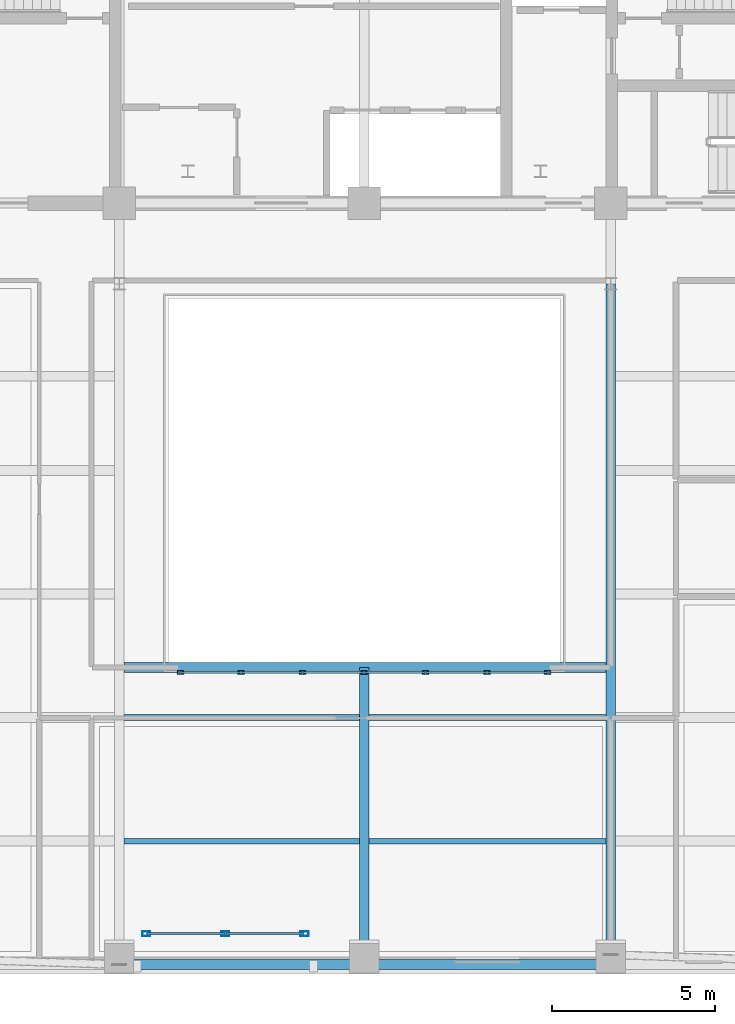
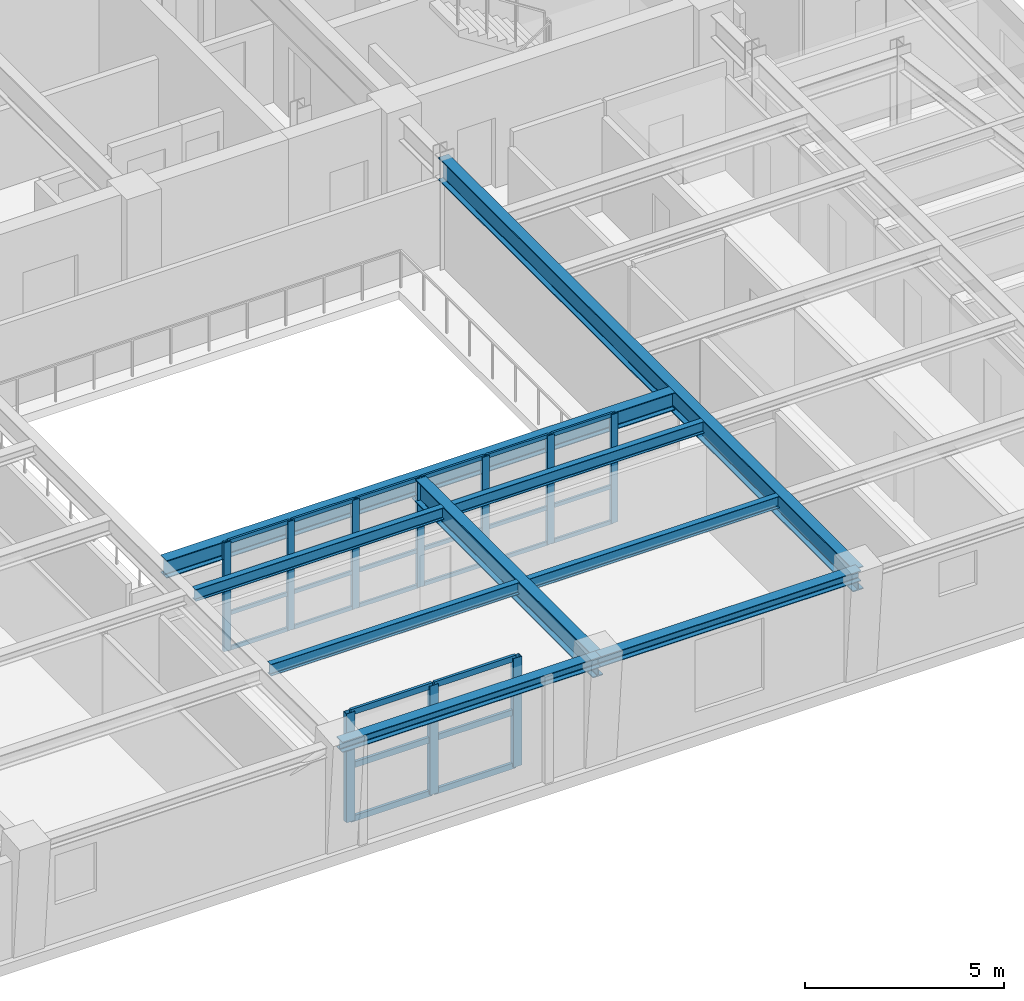
# One storey, part 2 of 13: 40 members, 9 beams, 2 elements without a shape of their own.
"""IFC4 building model written with IfcOpenShell, lengths in metres."""

from ifc_helpers import new_model, si_unit, direction, frame, origin, origin_2d, place, context, subcontext, project, spatial, hollow_rectangle, i_section, extrude, material, layer, layer_set, material_profile, profile_set, type_object, element, aggregate, save


model = new_model("IFC4")

# Units and contexts
model_context = context("Model", 3, precision=1e-05, world=origin(), true_north=direction((0.0, 1.0)))
body_context = subcontext(model_context, "Body", "Model", "MODEL_VIEW")
ifc_project = project(units=[si_unit("LENGTHUNIT", "METRE"), si_unit("AREAUNIT", "SQUARE_METRE"), si_unit("VOLUMEUNIT", "CUBIC_METRE"), si_unit("PLANEANGLEUNIT", "RADIAN"), si_unit("MASSUNIT", "GRAM", prefix="KILO")], contexts=[model_context])

# Site, building, storey
site_placement = place(None, origin())
site = spatial("IfcSite", under=ifc_project, at=site_placement, CompositionType="ELEMENT")
building_placement = place(site_placement, origin())
building = spatial("IfcBuilding", under=site, at=building_placement, Name="Zarnavel Station Tower", CompositionType="ELEMENT")
storey_placement = place(building_placement, frame((0.0, 0.0, 236.39990234375)))
storey = spatial("IfcBuildingStorey", under=building, at=storey_placement, Name="L64", CompositionType="ELEMENT", Elevation=236.39990234375)

# Curtain wall, members
ifc_material_1 = material(Name="Aluminium Dark Anodised and Solar-Control Glass", Category="aluminium")
ifc_layer_1 = layer(ifc_material_1, 0.179931640625)
ifc_layer_set_1 = layer_set([ifc_layer_1], Name="CWS5")
curtain_wall_type_1 = type_object("IfcCurtainWallType", Name="CWS5", PredefinedType="NOTDEFINED", material=ifc_layer_set_1)
curtain_wall_1_placement = place(storey_placement, origin())
curtain_wall_1 = element("IfcCurtainWall", 1, at=curtain_wall_1_placement, inside=storey, type_object=curtain_wall_type_1, Name="L64 Curtain Wall CWS5-L64-AS", PredefinedType="NOTDEFINED")
ifc_material_2 = material(Name="Steel S355J2 (Black Fluoropolymer Coated)", Category="steel")
ifc_material_profile_1 = material_profile(ifc_material_2, hollow_rectangle(XDim=0.10009765625, YDim=0.199951171875, WallThickness=0.008056640625, at=origin_2d()), Name="RHS200x100x8")
ifc_profile_set_1 = profile_set([ifc_material_profile_1], Name="Steel S355J2 (Black Fluoropolymer Coated)")
member_type_1 = type_object("IfcMemberType", Name="CWS5_MUL", PredefinedType="MULLION", material=ifc_profile_set_1)
member_1_placement = place(storey_placement, frame((23.179931640625, 13.449951171875, 0.0), z_axis=(0.0, 0.0, 1.0), x_axis=(0.0, 1.0, 0.0)))
member_1 = element("IfcMember", 2, at=member_1_placement, type_object=member_type_1, Name="CW5 mullion 1", PredefinedType="MULLION", context=body_context, shape_type="SweptSolid", body=[
    extrude(hollow_rectangle(XDim=0.10009765625, YDim=0.199951171875, WallThickness=0.008056640625, at=origin_2d()), origin(), (0.0, 0.0, 1.0), 3.340087890625),
])
member_2_placement = place(storey_placement, frame((25.033447265625, 13.449951171875, 0.0), z_axis=(0.0, 0.0, 1.0), x_axis=(0.0, 1.0, 0.0)))
member_2 = element("IfcMember", 3, at=member_2_placement, type_object=member_type_1, Name="CW5 mullion 2", PredefinedType="MULLION", context=body_context, shape_type="SweptSolid", body=[
    extrude(hollow_rectangle(XDim=0.10009765625, YDim=0.199951171875, WallThickness=0.008056640625, at=origin_2d()), origin(), (0.0, 0.0, 1.0), 3.340087890625),
])
member_3_placement = place(storey_placement, frame((26.916748046875, 13.449951171875, 0.0), z_axis=(0.0, 0.0, 1.0), x_axis=(0.0, 1.0, 0.0)))
member_3 = element("IfcMember", 4, at=member_3_placement, type_object=member_type_1, Name="CW5 mullion 3", PredefinedType="MULLION", context=body_context, shape_type="SweptSolid", body=[
    extrude(hollow_rectangle(XDim=0.10009765625, YDim=0.199951171875, WallThickness=0.008056640625, at=origin_2d()), origin(), (0.0, 0.0, 1.0), 3.340087890625),
])
member_4_placement = place(storey_placement, frame((28.800048828125, 13.449951171875, 0.0), z_axis=(0.0, 0.0, 1.0), x_axis=(0.0, 1.0, 0.0)))
member_4 = element("IfcMember", 5, at=member_4_placement, type_object=member_type_1, Name="CW5 mullion 4", PredefinedType="MULLION", context=body_context, shape_type="SweptSolid", body=[
    extrude(hollow_rectangle(XDim=0.10009765625, YDim=0.199951171875, WallThickness=0.008056640625, at=origin_2d()), origin(), (0.0, 0.0, 1.0), 3.340087890625),
])
member_5_placement = place(storey_placement, frame((30.683349609375, 13.449951171875, 0.0), z_axis=(0.0, 0.0, 1.0), x_axis=(0.0, 1.0, 0.0)))
member_5 = element("IfcMember", 6, at=member_5_placement, type_object=member_type_1, Name="CW5 mullion 5", PredefinedType="MULLION", context=body_context, shape_type="SweptSolid", body=[
    extrude(hollow_rectangle(XDim=0.10009765625, YDim=0.199951171875, WallThickness=0.008056640625, at=origin_2d()), origin(), (0.0, 0.0, 1.0), 3.340087890625),
])
member_6_placement = place(storey_placement, frame((32.566650390625, 13.449951171875, 0.0), z_axis=(0.0, 0.0, 1.0), x_axis=(0.0, 1.0, 0.0)))
member_6 = element("IfcMember", 7, at=member_6_placement, type_object=member_type_1, Name="CW5 mullion 6", PredefinedType="MULLION", context=body_context, shape_type="SweptSolid", body=[
    extrude(hollow_rectangle(XDim=0.10009765625, YDim=0.199951171875, WallThickness=0.008056640625, at=origin_2d()), origin(), (0.0, 0.0, 1.0), 3.340087890625),
])
member_7_placement = place(storey_placement, frame((34.419921875, 13.449951171875, 0.0), z_axis=(0.0, 0.0, 1.0), x_axis=(0.0, 1.0, 0.0)))
member_7 = element("IfcMember", 8, at=member_7_placement, type_object=member_type_1, Name="CW5 mullion 7", PredefinedType="MULLION", context=body_context, shape_type="SweptSolid", body=[
    extrude(hollow_rectangle(XDim=0.10009765625, YDim=0.199951171875, WallThickness=0.008056640625, at=origin_2d()), origin(), (0.0, 0.0, 1.0), 3.340087890625),
])
ifc_material_3 = material(Name="Steel S355J2 (Black Fluoropolymer Coated)", Category="steel")
ifc_material_profile_2 = material_profile(ifc_material_3, hollow_rectangle(XDim=0.06005859375, YDim=0.1201171875, WallThickness=0.0048828125, at=origin_2d()), Name="RHS120x60x5")
ifc_profile_set_2 = profile_set([ifc_material_profile_2], Name="Steel S355J2 (Black Fluoropolymer Coated)")
member_type_2 = type_object("IfcMemberType", Name="CWS5_TRN", PredefinedType="USERDEFINED", material=ifc_profile_set_2)
member_8_placement = place(storey_placement, frame((23.2099609375, 13.449951171875, 0.030029296875), z_axis=(1.0, 0.0, 0.0), x_axis=(0.0, 1.0, 0.0)))
member_8 = element("IfcMember", 9, at=member_8_placement, type_object=member_type_2, Name="CW5 transom 1.1", ObjectType="TRANSOM", PredefinedType="USERDEFINED", context=body_context, shape_type="SweptSolid", body=[
    extrude(hollow_rectangle(XDim=0.06005859375, YDim=0.1201171875, WallThickness=0.0048828125, at=origin_2d()), origin(), (0.0, 0.0, 1.0), 1.79345703125),
])
member_9_placement = place(storey_placement, frame((23.2099609375, 13.449951171875, 1.11328125), z_axis=(1.0, 0.0, 0.0), x_axis=(0.0, 1.0, 0.0)))
member_9 = element("IfcMember", 10, at=member_9_placement, type_object=member_type_2, Name="CW5 transom 1.2", ObjectType="TRANSOM", PredefinedType="USERDEFINED", context=body_context, shape_type="SweptSolid", body=[
    extrude(hollow_rectangle(XDim=0.06005859375, YDim=0.1201171875, WallThickness=0.0048828125, at=origin_2d()), origin(), (0.0, 0.0, 1.0), 1.79345703125),
])
member_10_placement = place(storey_placement, frame((23.2099609375, 13.449951171875, 2.226806640625), z_axis=(1.0, 0.0, 0.0), x_axis=(0.0, 1.0, 0.0)))
member_10 = element("IfcMember", 11, at=member_10_placement, type_object=member_type_2, Name="CW5 transom 1.3", ObjectType="TRANSOM", PredefinedType="USERDEFINED", context=body_context, shape_type="SweptSolid", body=[
    extrude(hollow_rectangle(XDim=0.06005859375, YDim=0.1201171875, WallThickness=0.0048828125, at=origin_2d()), origin(), (0.0, 0.0, 1.0), 1.79345703125),
])
member_11_placement = place(storey_placement, frame((23.2099609375, 13.449951171875, 3.31005859375), z_axis=(1.0, 0.0, 0.0), x_axis=(0.0, 1.0, 0.0)))
member_11 = element("IfcMember", 12, at=member_11_placement, type_object=member_type_2, Name="CW5 transom 1.4", ObjectType="TRANSOM", PredefinedType="USERDEFINED", context=body_context, shape_type="SweptSolid", body=[
    extrude(hollow_rectangle(XDim=0.06005859375, YDim=0.1201171875, WallThickness=0.0048828125, at=origin_2d()), origin(), (0.0, 0.0, 1.0), 1.79345703125),
])
member_12_placement = place(storey_placement, frame((25.063232421875, 13.449951171875, 0.030029296875), z_axis=(1.0, 0.0, 0.0), x_axis=(0.0, 1.0, 0.0)))
member_12 = element("IfcMember", 13, at=member_12_placement, type_object=member_type_2, Name="CW5 transom 2.1", ObjectType="TRANSOM", PredefinedType="USERDEFINED", context=body_context, shape_type="SweptSolid", body=[
    extrude(hollow_rectangle(XDim=0.06005859375, YDim=0.1201171875, WallThickness=0.0048828125, at=origin_2d()), origin(), (0.0, 0.0, 1.0), 1.823486328125),
])
member_13_placement = place(storey_placement, frame((25.063232421875, 13.449951171875, 1.11328125), z_axis=(1.0, 0.0, 0.0), x_axis=(0.0, 1.0, 0.0)))
member_13 = element("IfcMember", 14, at=member_13_placement, type_object=member_type_2, Name="CW5 transom 2.2", ObjectType="TRANSOM", PredefinedType="USERDEFINED", context=body_context, shape_type="SweptSolid", body=[
    extrude(hollow_rectangle(XDim=0.06005859375, YDim=0.1201171875, WallThickness=0.0048828125, at=origin_2d()), origin(), (0.0, 0.0, 1.0), 1.823486328125),
])
member_14_placement = place(storey_placement, frame((25.063232421875, 13.449951171875, 2.226806640625), z_axis=(1.0, 0.0, 0.0), x_axis=(0.0, 1.0, 0.0)))
member_14 = element("IfcMember", 15, at=member_14_placement, type_object=member_type_2, Name="CW5 transom 2.3", ObjectType="TRANSOM", PredefinedType="USERDEFINED", context=body_context, shape_type="SweptSolid", body=[
    extrude(hollow_rectangle(XDim=0.06005859375, YDim=0.1201171875, WallThickness=0.0048828125, at=origin_2d()), origin(), (0.0, 0.0, 1.0), 1.823486328125),
])
member_15_placement = place(storey_placement, frame((25.063232421875, 13.449951171875, 3.31005859375), z_axis=(1.0, 0.0, 0.0), x_axis=(0.0, 1.0, 0.0)))
member_15 = element("IfcMember", 16, at=member_15_placement, type_object=member_type_2, Name="CW5 transom 2.4", ObjectType="TRANSOM", PredefinedType="USERDEFINED", context=body_context, shape_type="SweptSolid", body=[
    extrude(hollow_rectangle(XDim=0.06005859375, YDim=0.1201171875, WallThickness=0.0048828125, at=origin_2d()), origin(), (0.0, 0.0, 1.0), 1.823486328125),
])
member_16_placement = place(storey_placement, frame((26.94677734375, 13.449951171875, 0.030029296875), z_axis=(1.0, 0.0, 0.0), x_axis=(0.0, 1.0, 0.0)))
member_16 = element("IfcMember", 17, at=member_16_placement, type_object=member_type_2, Name="CW5 transom 3.1", ObjectType="TRANSOM", PredefinedType="USERDEFINED", context=body_context, shape_type="SweptSolid", body=[
    extrude(hollow_rectangle(XDim=0.06005859375, YDim=0.1201171875, WallThickness=0.0048828125, at=origin_2d()), origin(), (0.0, 0.0, 1.0), 1.8232421875),
])
member_17_placement = place(storey_placement, frame((26.94677734375, 13.449951171875, 1.11328125), z_axis=(1.0, 0.0, 0.0), x_axis=(0.0, 1.0, 0.0)))
member_17 = element("IfcMember", 18, at=member_17_placement, type_object=member_type_2, Name="CW5 transom 3.2", ObjectType="TRANSOM", PredefinedType="USERDEFINED", context=body_context, shape_type="SweptSolid", body=[
    extrude(hollow_rectangle(XDim=0.06005859375, YDim=0.1201171875, WallThickness=0.0048828125, at=origin_2d()), origin(), (0.0, 0.0, 1.0), 1.8232421875),
])
member_18_placement = place(storey_placement, frame((26.94677734375, 13.449951171875, 2.226806640625), z_axis=(1.0, 0.0, 0.0), x_axis=(0.0, 1.0, 0.0)))
member_18 = element("IfcMember", 19, at=member_18_placement, type_object=member_type_2, Name="CW5 transom 3.3", ObjectType="TRANSOM", PredefinedType="USERDEFINED", context=body_context, shape_type="SweptSolid", body=[
    extrude(hollow_rectangle(XDim=0.06005859375, YDim=0.1201171875, WallThickness=0.0048828125, at=origin_2d()), origin(), (0.0, 0.0, 1.0), 1.8232421875),
])
member_19_placement = place(storey_placement, frame((26.94677734375, 13.449951171875, 3.31005859375), z_axis=(1.0, 0.0, 0.0), x_axis=(0.0, 1.0, 0.0)))
member_19 = element("IfcMember", 20, at=member_19_placement, type_object=member_type_2, Name="CW5 transom 3.4", ObjectType="TRANSOM", PredefinedType="USERDEFINED", context=body_context, shape_type="SweptSolid", body=[
    extrude(hollow_rectangle(XDim=0.06005859375, YDim=0.1201171875, WallThickness=0.0048828125, at=origin_2d()), origin(), (0.0, 0.0, 1.0), 1.8232421875),
])
member_20_placement = place(storey_placement, frame((28.830078125, 13.449951171875, 0.030029296875), z_axis=(1.0, 0.0, 0.0), x_axis=(0.0, 1.0, 0.0)))
member_20 = element("IfcMember", 21, at=member_20_placement, type_object=member_type_2, Name="CW5 transom 4.1", ObjectType="TRANSOM", PredefinedType="USERDEFINED", context=body_context, shape_type="SweptSolid", body=[
    extrude(hollow_rectangle(XDim=0.06005859375, YDim=0.1201171875, WallThickness=0.0048828125, at=origin_2d()), origin(), (0.0, 0.0, 1.0), 1.8232421875),
])
member_21_placement = place(storey_placement, frame((28.830078125, 13.449951171875, 1.11328125), z_axis=(1.0, 0.0, 0.0), x_axis=(0.0, 1.0, 0.0)))
member_21 = element("IfcMember", 22, at=member_21_placement, type_object=member_type_2, Name="CW5 transom 4.2", ObjectType="TRANSOM", PredefinedType="USERDEFINED", context=body_context, shape_type="SweptSolid", body=[
    extrude(hollow_rectangle(XDim=0.06005859375, YDim=0.1201171875, WallThickness=0.0048828125, at=origin_2d()), origin(), (0.0, 0.0, 1.0), 1.8232421875),
])
member_22_placement = place(storey_placement, frame((28.830078125, 13.449951171875, 2.226806640625), z_axis=(1.0, 0.0, 0.0), x_axis=(0.0, 1.0, 0.0)))
member_22 = element("IfcMember", 23, at=member_22_placement, type_object=member_type_2, Name="CW5 transom 4.3", ObjectType="TRANSOM", PredefinedType="USERDEFINED", context=body_context, shape_type="SweptSolid", body=[
    extrude(hollow_rectangle(XDim=0.06005859375, YDim=0.1201171875, WallThickness=0.0048828125, at=origin_2d()), origin(), (0.0, 0.0, 1.0), 1.8232421875),
])
member_23_placement = place(storey_placement, frame((28.830078125, 13.449951171875, 3.31005859375), z_axis=(1.0, 0.0, 0.0), x_axis=(0.0, 1.0, 0.0)))
member_23 = element("IfcMember", 24, at=member_23_placement, type_object=member_type_2, Name="CW5 transom 4.4", ObjectType="TRANSOM", PredefinedType="USERDEFINED", context=body_context, shape_type="SweptSolid", body=[
    extrude(hollow_rectangle(XDim=0.06005859375, YDim=0.1201171875, WallThickness=0.0048828125, at=origin_2d()), origin(), (0.0, 0.0, 1.0), 1.8232421875),
])
member_24_placement = place(storey_placement, frame((30.71337890625, 13.449951171875, 0.030029296875), z_axis=(1.0, 0.0, 0.0), x_axis=(0.0, 1.0, 0.0)))
member_24 = element("IfcMember", 25, at=member_24_placement, type_object=member_type_2, Name="CW5 transom 5.1", ObjectType="TRANSOM", PredefinedType="USERDEFINED", context=body_context, shape_type="SweptSolid", body=[
    extrude(hollow_rectangle(XDim=0.06005859375, YDim=0.1201171875, WallThickness=0.0048828125, at=origin_2d()), origin(), (0.0, 0.0, 1.0), 1.8232421875),
])
member_25_placement = place(storey_placement, frame((30.71337890625, 13.449951171875, 1.11328125), z_axis=(1.0, 0.0, 0.0), x_axis=(0.0, 1.0, 0.0)))
member_25 = element("IfcMember", 26, at=member_25_placement, type_object=member_type_2, Name="CW5 transom 5.2", ObjectType="TRANSOM", PredefinedType="USERDEFINED", context=body_context, shape_type="SweptSolid", body=[
    extrude(hollow_rectangle(XDim=0.06005859375, YDim=0.1201171875, WallThickness=0.0048828125, at=origin_2d()), origin(), (0.0, 0.0, 1.0), 1.8232421875),
])
member_26_placement = place(storey_placement, frame((30.71337890625, 13.449951171875, 2.226806640625), z_axis=(1.0, 0.0, 0.0), x_axis=(0.0, 1.0, 0.0)))
member_26 = element("IfcMember", 27, at=member_26_placement, type_object=member_type_2, Name="CW5 transom 5.3", ObjectType="TRANSOM", PredefinedType="USERDEFINED", context=body_context, shape_type="SweptSolid", body=[
    extrude(hollow_rectangle(XDim=0.06005859375, YDim=0.1201171875, WallThickness=0.0048828125, at=origin_2d()), origin(), (0.0, 0.0, 1.0), 1.8232421875),
])
member_27_placement = place(storey_placement, frame((30.71337890625, 13.449951171875, 3.31005859375), z_axis=(1.0, 0.0, 0.0), x_axis=(0.0, 1.0, 0.0)))
member_27 = element("IfcMember", 28, at=member_27_placement, type_object=member_type_2, Name="CW5 transom 5.4", ObjectType="TRANSOM", PredefinedType="USERDEFINED", context=body_context, shape_type="SweptSolid", body=[
    extrude(hollow_rectangle(XDim=0.06005859375, YDim=0.1201171875, WallThickness=0.0048828125, at=origin_2d()), origin(), (0.0, 0.0, 1.0), 1.8232421875),
])
member_28_placement = place(storey_placement, frame((32.5966796875, 13.449951171875, 0.030029296875), z_axis=(1.0, 0.0, 0.0), x_axis=(0.0, 1.0, 0.0)))
member_28 = element("IfcMember", 29, at=member_28_placement, type_object=member_type_2, Name="CW5 transom 6.1", ObjectType="TRANSOM", PredefinedType="USERDEFINED", context=body_context, shape_type="SweptSolid", body=[
    extrude(hollow_rectangle(XDim=0.06005859375, YDim=0.1201171875, WallThickness=0.0048828125, at=origin_2d()), origin(), (0.0, 0.0, 1.0), 1.793212890625),
])
member_29_placement = place(storey_placement, frame((32.5966796875, 13.449951171875, 1.11328125), z_axis=(1.0, 0.0, 0.0), x_axis=(0.0, 1.0, 0.0)))
member_29 = element("IfcMember", 30, at=member_29_placement, type_object=member_type_2, Name="CW5 transom 6.2", ObjectType="TRANSOM", PredefinedType="USERDEFINED", context=body_context, shape_type="SweptSolid", body=[
    extrude(hollow_rectangle(XDim=0.06005859375, YDim=0.1201171875, WallThickness=0.0048828125, at=origin_2d()), origin(), (0.0, 0.0, 1.0), 1.793212890625),
])
member_30_placement = place(storey_placement, frame((32.5966796875, 13.449951171875, 2.226806640625), z_axis=(1.0, 0.0, 0.0), x_axis=(0.0, 1.0, 0.0)))
member_30 = element("IfcMember", 31, at=member_30_placement, type_object=member_type_2, Name="CW5 transom 6.3", ObjectType="TRANSOM", PredefinedType="USERDEFINED", context=body_context, shape_type="SweptSolid", body=[
    extrude(hollow_rectangle(XDim=0.06005859375, YDim=0.1201171875, WallThickness=0.0048828125, at=origin_2d()), origin(), (0.0, 0.0, 1.0), 1.793212890625),
])
member_31_placement = place(storey_placement, frame((32.5966796875, 13.449951171875, 3.31005859375), z_axis=(1.0, 0.0, 0.0), x_axis=(0.0, 1.0, 0.0)))
member_31 = element("IfcMember", 32, at=member_31_placement, type_object=member_type_2, Name="CW5 transom 6.4", ObjectType="TRANSOM", PredefinedType="USERDEFINED", context=body_context, shape_type="SweptSolid", body=[
    extrude(hollow_rectangle(XDim=0.06005859375, YDim=0.1201171875, WallThickness=0.0048828125, at=origin_2d()), origin(), (0.0, 0.0, 1.0), 1.793212890625),
])
aggregate(curtain_wall_1, [member_1, member_2, member_3, member_4, member_5, member_6, member_7, member_8, member_9, member_10, member_11, member_12, member_13, member_14, member_15, member_16, member_17, member_18, member_19, member_20, member_21, member_22, member_23, member_24, member_25, member_26, member_27, member_28, member_29, member_30, member_31])

ifc_material_4 = material(Name="Aluminium Dark Anodised and Solar-Control Glass", Category="aluminium")
ifc_layer_2 = layer(ifc_material_4, 0.179931640625)
ifc_layer_set_2 = layer_set([ifc_layer_2], Name="CWS6")
curtain_wall_type_2 = type_object("IfcCurtainWallType", Name="CWS6", PredefinedType="NOTDEFINED", material=ifc_layer_set_2)
curtain_wall_2_placement = place(storey_placement, origin())
curtain_wall_2 = element("IfcCurtainWall", 33, at=curtain_wall_2_placement, inside=storey, type_object=curtain_wall_type_2, Name="L64 Curtain Wall CWS6-LOG-L64", PredefinedType="NOTDEFINED")
ifc_material_5 = material(Name="Steel S355J2 (Black Fluoropolymer Coated)", Category="steel")
ifc_material_profile_3 = material_profile(ifc_material_5, hollow_rectangle(XDim=0.14990234375, YDim=0.25, WallThickness=0.010009765625, at=origin_2d()), Name="RHS250x150x10")
ifc_profile_set_3 = profile_set([ifc_material_profile_3], Name="Steel S355J2 (Black Fluoropolymer Coated)")
member_type_3 = type_object("IfcMemberType", Name="CWS6_MUL", PredefinedType="MULLION", material=ifc_profile_set_3)
member_32_placement = place(storey_placement, frame((22.1298828125, 5.449951171875, 0.0), z_axis=(0.0, 0.0, 1.0), x_axis=(0.0, 1.0, 0.0)))
member_32 = element("IfcMember", 34, at=member_32_placement, type_object=member_type_3, Name="CW6 mullion 1", PredefinedType="MULLION", context=body_context, shape_type="SweptSolid", body=[
    extrude(hollow_rectangle(XDim=0.14990234375, YDim=0.25, WallThickness=0.010009765625, at=origin_2d()), origin(), (0.0, 0.0, 1.0), 3.340087890625),
])
member_33_placement = place(storey_placement, frame((24.550048828125, 5.449951171875, 0.0), z_axis=(0.0, 0.0, 1.0), x_axis=(0.0, 1.0, 0.0)))
member_33 = element("IfcMember", 35, at=member_33_placement, type_object=member_type_3, Name="CW6 mullion 2", PredefinedType="MULLION", context=body_context, shape_type="SweptSolid", body=[
    extrude(hollow_rectangle(XDim=0.14990234375, YDim=0.25, WallThickness=0.010009765625, at=origin_2d()), origin(), (0.0, 0.0, 1.0), 3.340087890625),
])
member_34_placement = place(storey_placement, frame((26.969970703125, 5.449951171875, 0.0), z_axis=(0.0, 0.0, 1.0), x_axis=(0.0, 1.0, 0.0)))
member_34 = element("IfcMember", 36, at=member_34_placement, type_object=member_type_3, Name="CW6 mullion 3", PredefinedType="MULLION", context=body_context, shape_type="SweptSolid", body=[
    extrude(hollow_rectangle(XDim=0.14990234375, YDim=0.25, WallThickness=0.010009765625, at=origin_2d()), origin(), (0.0, 0.0, 1.0), 3.340087890625),
])
ifc_material_6 = material(Name="Steel S355J2 (Black Fluoropolymer Coated)", Category="steel")
ifc_material_profile_4 = material_profile(ifc_material_6, hollow_rectangle(XDim=0.080078125, YDim=0.179931640625, WallThickness=0.00634765625, at=origin_2d()), Name="RHS180x80x6.3")
ifc_profile_set_4 = profile_set([ifc_material_profile_4], Name="Steel S355J2 (Black Fluoropolymer Coated)")
member_type_4 = type_object("IfcMemberType", Name="CWS6_TRN", PredefinedType="USERDEFINED", material=ifc_profile_set_4)
member_35_placement = place(storey_placement, frame((22.159912109375, 5.449951171875, 0.030029296875), z_axis=(1.0, 0.0, 0.0), x_axis=(0.0, 1.0, 0.0)))
member_35 = element("IfcMember", 37, at=member_35_placement, type_object=member_type_4, Name="CW6 transom 1.1", ObjectType="TRANSOM", PredefinedType="USERDEFINED", context=body_context, shape_type="SweptSolid", body=[
    extrude(hollow_rectangle(XDim=0.080078125, YDim=0.179931640625, WallThickness=0.00634765625, at=origin_2d()), origin(), (0.0, 0.0, 1.0), 2.360107421875),
])
member_36_placement = place(storey_placement, frame((22.159912109375, 5.449951171875, 1.670166015625), z_axis=(1.0, 0.0, 0.0), x_axis=(0.0, 1.0, 0.0)))
member_36 = element("IfcMember", 38, at=member_36_placement, type_object=member_type_4, Name="CW6 transom 1.2", ObjectType="TRANSOM", PredefinedType="USERDEFINED", context=body_context, shape_type="SweptSolid", body=[
    extrude(hollow_rectangle(XDim=0.080078125, YDim=0.179931640625, WallThickness=0.00634765625, at=origin_2d()), origin(), (0.0, 0.0, 1.0), 2.360107421875),
])
member_37_placement = place(storey_placement, frame((22.159912109375, 5.449951171875, 3.31005859375), z_axis=(1.0, 0.0, 0.0), x_axis=(0.0, 1.0, 0.0)))
member_37 = element("IfcMember", 39, at=member_37_placement, type_object=member_type_4, Name="CW6 transom 1.3", ObjectType="TRANSOM", PredefinedType="USERDEFINED", context=body_context, shape_type="SweptSolid", body=[
    extrude(hollow_rectangle(XDim=0.080078125, YDim=0.179931640625, WallThickness=0.00634765625, at=origin_2d()), origin(), (0.0, 0.0, 1.0), 2.360107421875),
])
member_38_placement = place(storey_placement, frame((24.580078125, 5.449951171875, 0.030029296875), z_axis=(1.0, 0.0, 0.0), x_axis=(0.0, 1.0, 0.0)))
member_38 = element("IfcMember", 40, at=member_38_placement, type_object=member_type_4, Name="CW6 transom 2.1", ObjectType="TRANSOM", PredefinedType="USERDEFINED", context=body_context, shape_type="SweptSolid", body=[
    extrude(hollow_rectangle(XDim=0.080078125, YDim=0.179931640625, WallThickness=0.00634765625, at=origin_2d()), origin(), (0.0, 0.0, 1.0), 2.35986328125),
])
member_39_placement = place(storey_placement, frame((24.580078125, 5.449951171875, 1.670166015625), z_axis=(1.0, 0.0, 0.0), x_axis=(0.0, 1.0, 0.0)))
member_39 = element("IfcMember", 41, at=member_39_placement, type_object=member_type_4, Name="CW6 transom 2.2", ObjectType="TRANSOM", PredefinedType="USERDEFINED", context=body_context, shape_type="SweptSolid", body=[
    extrude(hollow_rectangle(XDim=0.080078125, YDim=0.179931640625, WallThickness=0.00634765625, at=origin_2d()), origin(), (0.0, 0.0, 1.0), 2.35986328125),
])
member_40_placement = place(storey_placement, frame((24.580078125, 5.449951171875, 3.31005859375), z_axis=(1.0, 0.0, 0.0), x_axis=(0.0, 1.0, 0.0)))
member_40 = element("IfcMember", 42, at=member_40_placement, type_object=member_type_4, Name="CW6 transom 2.3", ObjectType="TRANSOM", PredefinedType="USERDEFINED", context=body_context, shape_type="SweptSolid", body=[
    extrude(hollow_rectangle(XDim=0.080078125, YDim=0.179931640625, WallThickness=0.00634765625, at=origin_2d()), origin(), (0.0, 0.0, 1.0), 2.35986328125),
])
aggregate(curtain_wall_2, [member_32, member_33, member_34, member_35, member_36, member_37, member_38, member_39, member_40])

# Beams
ifc_material_7 = material(Name="Steel S355J2", Category="steel")
ifc_material_profile_5 = material_profile(ifc_material_7, i_section(OverallWidth=0.300048828125, OverallDepth=0.320068359375, WebThickness=0.011474609375, FlangeThickness=0.0205078125, FilletRadius=0.027099609375, at=origin_2d()), Name="HEB320")
ifc_profile_set_5 = profile_set([ifc_material_profile_5], Name="Steel S355J2")
beam_type_1 = type_object("IfcBeamType", Name="EB_HEB320", PredefinedType="SPANDREL", material=ifc_profile_set_5)
beam_1_placement = place(storey_placement, frame((21.300048828125, 4.502685546875, 3.18017578125), z_axis=(1.0, 0.0, 0.0), x_axis=(0.0, 1.0, 0.0)))
element("IfcBeam", 43, at=beam_1_placement, inside=storey, type_object=beam_type_1, Name="L64 South Raked Spandrel 2", PredefinedType="SPANDREL", context=body_context, shape_type="SweptSolid", body=[
    extrude(i_section(OverallWidth=0.300048828125, OverallDepth=0.320068359375, WebThickness=0.011474609375, FlangeThickness=0.0205078125, FilletRadius=0.027099609375, at=origin_2d()), origin(), (0.0, 0.0, 1.0), 7.5),
])
beam_2_placement = place(storey_placement, frame((28.800048828125, 4.502685546875, 3.18017578125), z_axis=(1.0, 0.0, 0.0), x_axis=(0.0, 1.0, 0.0)))
element("IfcBeam", 44, at=beam_2_placement, inside=storey, type_object=beam_type_1, Name="L64 South Raked Spandrel 3", PredefinedType="SPANDREL", context=body_context, shape_type="SweptSolid", body=[
    extrude(i_section(OverallWidth=0.300048828125, OverallDepth=0.320068359375, WebThickness=0.011474609375, FlangeThickness=0.0205078125, FilletRadius=0.027099609375, at=origin_2d()), origin(), (0.0, 0.0, 1.0), 7.550048828125),
])
ifc_material_8 = material(Name="Steel S355J2", Category="steel")
ifc_material_profile_6 = material_profile(ifc_material_8, i_section(OverallWidth=0.300048828125, OverallDepth=0.5400390625, WebThickness=0.012451171875, FlangeThickness=0.02392578125, FilletRadius=0.027099609375, at=origin_2d()), Name="HEA550")
ifc_profile_set_6 = profile_set([ifc_material_profile_6], Name="Steel S355J2")
beam_type_2 = type_object("IfcBeamType", Name="FB_HEA550", PredefinedType="BEAM", material=ifc_profile_set_6)
beam_3_placement = place(storey_placement, frame((21.445068359375, 13.60009765625, 3.070068359375), z_axis=(1.0, 0.0, 0.0), x_axis=(0.0, 1.0, 0.0)))
element("IfcBeam", 45, at=beam_3_placement, inside=storey, type_object=beam_type_2, Name="L64 Atrium South Edge Girder", PredefinedType="BEAM", context=body_context, shape_type="SweptSolid", body=[
    extrude(i_section(OverallWidth=0.300048828125, OverallDepth=0.5400390625, WebThickness=0.012451171875, FlangeThickness=0.02392578125, FilletRadius=0.027099609375, at=origin_2d()), origin(), (0.0, 0.0, 1.0), 14.760009765625),
])
ifc_material_9 = material(Name="Steel S355J2", Category="steel")
ifc_material_profile_7 = material_profile(ifc_material_9, i_section(OverallWidth=0.300048828125, OverallDepth=0.699951171875, WebThickness=0.01708984375, FlangeThickness=0.031982421875, FilletRadius=0.027099609375, at=origin_2d()), Name="HEB700")
ifc_profile_set_7 = profile_set([ifc_material_profile_7], Name="Steel S355J2")
beam_type_3 = type_object("IfcBeamType", Name="FG_HEB700", PredefinedType="USERDEFINED", material=ifc_profile_set_7)
beam_4_placement = place(storey_placement, frame((28.800048828125, 4.502685546875, 2.989990234375), z_axis=(0.0, 1.0, 0.0), x_axis=(-1.0, 0.0, 0.0)))
element("IfcBeam", 46, at=beam_4_placement, inside=storey, type_object=beam_type_3, Name="L64 Central Atrium-South Girder", ObjectType="GIRDER", PredefinedType="USERDEFINED", context=body_context, shape_type="SweptSolid", body=[
    extrude(i_section(OverallWidth=0.300048828125, OverallDepth=0.699951171875, WebThickness=0.01708984375, FlangeThickness=0.031982421875, FilletRadius=0.027099609375, at=origin_2d()), origin(), (0.0, 0.0, 1.0), 9.097412109375),
])
beam_5_placement = place(storey_placement, frame((36.35009765625, 4.502685546875, 2.989990234375), z_axis=(0.0, 1.0, 0.0), x_axis=(-1.0, 0.0, 0.0)))
element("IfcBeam", 47, at=beam_5_placement, inside=storey, type_object=beam_type_3, Name="L64 South-Zone NS Girder 4", ObjectType="GIRDER", PredefinedType="USERDEFINED", context=body_context, shape_type="SweptSolid", body=[
    extrude(i_section(OverallWidth=0.300048828125, OverallDepth=0.699951171875, WebThickness=0.01708984375, FlangeThickness=0.031982421875, FilletRadius=0.027099609375, at=origin_2d()), origin(), (0.0, 0.0, 1.0), 20.847412109375),
])
ifc_material_10 = material(Name="Steel S355J2", Category="steel")
ifc_material_profile_8 = material_profile(ifc_material_10, i_section(OverallWidth=0.169921875, OverallDepth=0.360107421875, WebThickness=0.008056640625, FlangeThickness=0.0126953125, FilletRadius=0.01806640625, at=origin_2d()), Name="IPE360")
ifc_profile_set_8 = profile_set([ifc_material_profile_8], Name="Steel S355J2")
beam_type_4 = type_object("IfcBeamType", Name="FJ_IPE360", PredefinedType="JOIST", material=ifc_profile_set_8)
beam_6_placement = place(storey_placement, frame((21.445068359375, 8.28564453125, 3.16015625), z_axis=(1.0, 0.0, 0.0), x_axis=(0.0, 1.0, 0.0)))
element("IfcBeam", 48, at=beam_6_placement, inside=storey, type_object=beam_type_4, Name="L64 Mid-West Joist 1", PredefinedType="JOIST", context=body_context, shape_type="SweptSolid", body=[
    extrude(i_section(OverallWidth=0.169921875, OverallDepth=0.360107421875, WebThickness=0.008056640625, FlangeThickness=0.0126953125, FilletRadius=0.01806640625, at=origin_2d()), origin(), (0.0, 0.0, 1.0), 7.2099609375),
])
beam_7_placement = place(storey_placement, frame((28.945068359375, 8.28564453125, 3.16015625), z_axis=(1.0, 0.0, 0.0), x_axis=(0.0, 1.0, 0.0)))
element("IfcBeam", 49, at=beam_7_placement, inside=storey, type_object=beam_type_4, Name="L64 Mid-East Joist 1", PredefinedType="JOIST", context=body_context, shape_type="SweptSolid", body=[
    extrude(i_section(OverallWidth=0.169921875, OverallDepth=0.360107421875, WebThickness=0.008056640625, FlangeThickness=0.0126953125, FilletRadius=0.01806640625, at=origin_2d()), origin(), (0.0, 0.0, 1.0), 7.260009765625),
])
beam_8_placement = place(storey_placement, frame((21.445068359375, 12.068603515625, 3.16015625), z_axis=(1.0, 0.0, 0.0), x_axis=(0.0, 1.0, 0.0)))
element("IfcBeam", 50, at=beam_8_placement, inside=storey, type_object=beam_type_4, Name="L64 Mid-West Joist 2", PredefinedType="JOIST", context=body_context, shape_type="SweptSolid", body=[
    extrude(i_section(OverallWidth=0.169921875, OverallDepth=0.360107421875, WebThickness=0.008056640625, FlangeThickness=0.0126953125, FilletRadius=0.01806640625, at=origin_2d()), origin(), (0.0, 0.0, 1.0), 7.2099609375),
])
beam_9_placement = place(storey_placement, frame((28.945068359375, 12.068603515625, 3.16015625), z_axis=(1.0, 0.0, 0.0), x_axis=(0.0, 1.0, 0.0)))
element("IfcBeam", 51, at=beam_9_placement, inside=storey, type_object=beam_type_4, Name="L64 Mid-East Joist 2", PredefinedType="JOIST", context=body_context, shape_type="SweptSolid", body=[
    extrude(i_section(OverallWidth=0.169921875, OverallDepth=0.360107421875, WebThickness=0.008056640625, FlangeThickness=0.0126953125, FilletRadius=0.01806640625, at=origin_2d()), origin(), (0.0, 0.0, 1.0), 7.260009765625),
])

save(model, "model.ifc")
